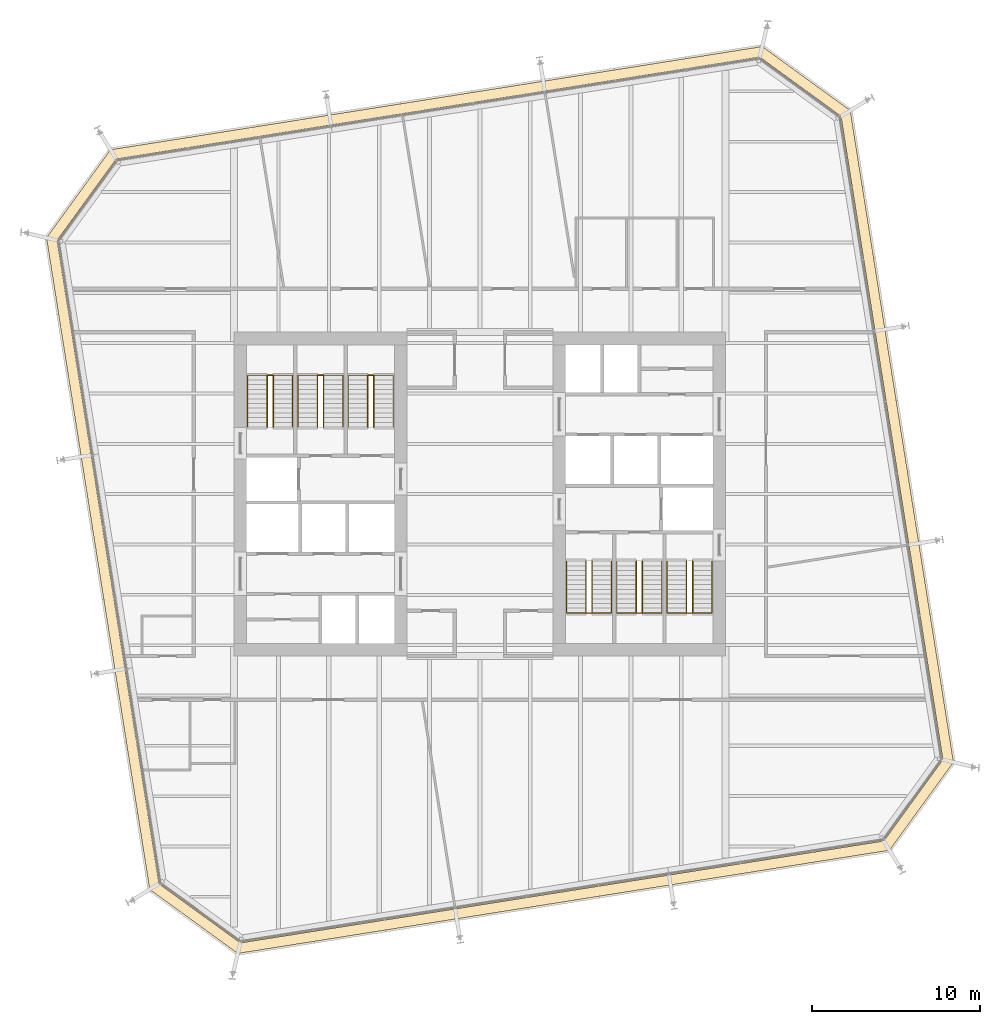
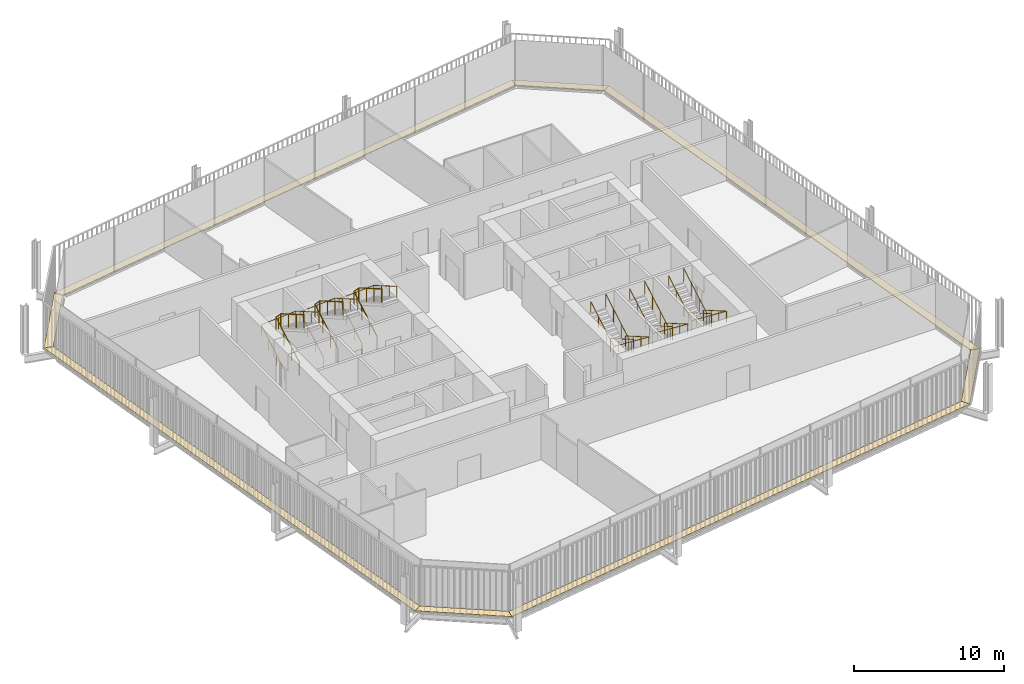
# One storey, part 21 of 21: 12 railings, 8 coverings.
"""IFC4 building model written with IfcOpenShell, lengths in metres."""

from ifc_helpers import new_model, si_unit, direction, frame, origin, origin_2d, place, context, subcontext, project, spatial, polyline, circle, outline, extrude, material, layer, layer_set, type_object, element, save


model = new_model("IFC4")

# Units and contexts
model_context = context("Model", 3, precision=1e-05, world=origin(), true_north=direction((0.0, 1.0)))
body_context = subcontext(model_context, "Body", "Model", "MODEL_VIEW")
ifc_project = project(units=[si_unit("LENGTHUNIT", "METRE"), si_unit("AREAUNIT", "SQUARE_METRE"), si_unit("VOLUMEUNIT", "CUBIC_METRE"), si_unit("PLANEANGLEUNIT", "RADIAN"), si_unit("MASSUNIT", "GRAM", prefix="KILO")], contexts=[model_context])

# Site, building, storey
site_placement = place(None, origin())
site = spatial("IfcSite", under=ifc_project, at=site_placement, CompositionType="ELEMENT")
building_placement = place(site_placement, origin())
building = spatial("IfcBuilding", under=site, at=building_placement, Name="Millrace Tower", CompositionType="ELEMENT")
storey_placement = place(building_placement, frame((0.0, 0.0, 156.800048828125)))
storey = spatial("IfcBuildingStorey", under=building, at=storey_placement, Name="L35", CompositionType="ELEMENT", Elevation=156.800048828125)

# Coverings
ifc_material_1 = material(Name="Steel ASTM A36", Category="steel")
ifc_layer = layer(ifc_material_1, 0.050048828125)
ifc_layer_set = layer_set([ifc_layer], Name="Steel ASTM A36")
covering_type = type_object("IfcCoveringType", Name="CAVITY CATWALK steel grating", PredefinedType="FLOORING", material=ifc_layer_set)
placement = place(storey_placement, frame((0.0, 0.0, 0.099853515625)))
element("IfcCovering", 1, at=placement, inside=storey, type_object=covering_type, Name="Cavity catwalk grating C-F01 L35 1", PredefinedType="FLOORING", context=body_context, shape_type="SweptSolid", body=[
    extrude(outline(polyline([(-19.67578125, -23.562255859375), (-14.425048828125, -27.376953125), (-14.2734375, -26.74560546875), (-19.1220703125, -23.222900390625), (-19.67578125, -23.562255859375)])), origin(), (0.0, 0.0, 1.0), 0.050048828125),
])
element("IfcCovering", 2, at=placement, inside=storey, type_object=covering_type, Name="Cavity catwalk grating C-F02 L35 1", PredefinedType="FLOORING", context=body_context, shape_type="SweptSolid", body=[
    extrude(outline(polyline([(-14.425048828125, -27.376953125), (24.412109375, -21.225830078125), (24.07275390625, -20.672119140625), (-14.2734375, -26.74560546875), (-14.425048828125, -27.376953125)])), origin(), (0.0, 0.0, 1.0), 0.050048828125),
])
element("IfcCovering", 3, at=placement, inside=storey, type_object=covering_type, Name="Cavity catwalk grating C-F03 L35 1", PredefinedType="FLOORING", context=body_context, shape_type="SweptSolid", body=[
    extrude(outline(polyline([(24.412109375, -21.225830078125), (28.22705078125, -15.97509765625), (27.595458984375, -15.823486328125), (24.07275390625, -20.672119140625), (24.412109375, -21.225830078125)])), origin(), (0.0, 0.0, 1.0), 0.050048828125),
])
element("IfcCovering", 4, at=placement, inside=storey, type_object=covering_type, Name="Cavity catwalk grating C-F04 L35 1", PredefinedType="FLOORING", context=body_context, shape_type="SweptSolid", body=[
    extrude(outline(polyline([(28.22705078125, -15.97509765625), (22.075927734375, 22.862060546875), (21.522216796875, 22.522705078125), (27.595458984375, -15.823486328125), (28.22705078125, -15.97509765625)])), origin(), (0.0, 0.0, 1.0), 0.050048828125),
])
element("IfcCovering", 5, at=placement, inside=storey, type_object=covering_type, Name="Cavity catwalk grating C-F05 L35 1", PredefinedType="FLOORING", context=body_context, shape_type="SweptSolid", body=[
    extrude(outline(polyline([(22.075927734375, 22.862060546875), (16.824951171875, 26.677001953125), (16.67333984375, 26.045654296875), (21.522216796875, 22.522705078125), (22.075927734375, 22.862060546875)])), origin(), (0.0, 0.0, 1.0), 0.050048828125),
])
element("IfcCovering", 6, at=placement, inside=storey, type_object=covering_type, Name="Cavity catwalk grating C-F06 L35 1", PredefinedType="FLOORING", context=body_context, shape_type="SweptSolid", body=[
    extrude(outline(polyline([(16.824951171875, 26.677001953125), (-22.01220703125, 20.52587890625), (-21.6728515625, 19.97216796875), (16.67333984375, 26.045654296875), (16.824951171875, 26.677001953125)])), origin(), (0.0, 0.0, 1.0), 0.050048828125),
])
element("IfcCovering", 7, at=placement, inside=storey, type_object=covering_type, Name="Cavity catwalk grating C-F07 L35 1", PredefinedType="FLOORING", context=body_context, shape_type="SweptSolid", body=[
    extrude(outline(polyline([(-22.01220703125, 20.52587890625), (-25.8271484375, 15.275146484375), (-25.195556640625, 15.12353515625), (-21.6728515625, 19.97216796875), (-22.01220703125, 20.52587890625)])), origin(), (0.0, 0.0, 1.0), 0.050048828125),
])
element("IfcCovering", 8, at=placement, inside=storey, type_object=covering_type, Name="Cavity catwalk grating C-F08 L35 1", PredefinedType="FLOORING", context=body_context, shape_type="SweptSolid", body=[
    extrude(outline(polyline([(-25.8271484375, 15.275146484375), (-19.67578125, -23.562255859375), (-19.1220703125, -23.222900390625), (-25.195556640625, 15.12353515625), (-25.8271484375, 15.275146484375)])), origin(), (0.0, 0.0, 1.0), 0.050048828125),
])

# Railings
ifc_material_2 = material(Name="Stainless steel ASTM A240 type 316", Category="steel")
railing_type_1 = type_object("IfcRailingType", Name="Stair guard 1100", PredefinedType="GUARDRAIL", material=ifc_material_2)
for number, where, name in (
    (9, (-12.679931640625, 4.0, 0.162353515625), "Stair guard 1 W L35"),
    (10, (-9.679931640625, 4.0, 0.162353515625), "Stair guard 2 W L35"),
    (11, (-6.679931640625, 4.0, 0.162353515625), "Stair guard 3 W L35"),
):
    element("IfcRailing", number, at=place(storey_placement, frame(where)), inside=storey, type_object=railing_type_1, Name=name, PredefinedType="GUARDRAIL", context=body_context, shape_type="SweptSolid", body=[
        extrude(circle(Radius=0.02392578125, at=origin_2d()), frame((0.0, 0.0, 1.076171875), z_axis=(0.0, 0.864890721111, 0.501960198159), x_axis=(-1.0, 0.0, 0.0)), (0.0, 0.0, 1.0), 3.561279296875),
        extrude(circle(Radius=0.02392578125, at=origin_2d()), frame((0.0, 3.080078125, 2.86376953125), z_axis=(0.911295775139, 0.0, 0.411752365158), x_axis=(0.0, 1.0, 0.0)), (0.0, 0.0, 1.0), 0.394775390625),
        extrude(circle(Radius=0.02392578125, at=origin_2d()), frame((0.35986328125, 3.080078125, 3.0263671875), z_axis=(0.0, -0.864920483161, 0.501908913857), x_axis=(1.0, 0.0, 0.0)), (0.0, 0.0, 1.0), 3.56103515625),
        extrude(circle(Radius=0.02099609375, at=origin_2d()), origin(), (0.0, 0.0, 1.0), 1.052001953125),
        extrude(circle(Radius=0.02099609375, at=origin_2d()), frame((0.0, 1.026611328125, 0.595947265625)), (0.0, 0.0, 1.0), 1.052001953125),
        extrude(circle(Radius=0.02099609375, at=origin_2d()), frame((0.0, 2.053466796875, 1.191650390625)), (0.0, 0.0, 1.0), 1.052001953125),
        extrude(circle(Radius=0.02099609375, at=origin_2d()), frame((0.0, 3.080078125, 1.78759765625)), (0.0, 0.0, 1.0), 1.052001953125),
        extrude(circle(Radius=0.02099609375, at=origin_2d()), frame((0.35986328125, 3.080078125, 1.9501953125)), (0.0, 0.0, 1.0), 1.052001953125),
        extrude(circle(Radius=0.02099609375, at=origin_2d()), frame((0.35986328125, 2.053466796875, 2.5458984375)), (0.0, 0.0, 1.0), 1.052001953125),
        extrude(circle(Radius=0.02099609375, at=origin_2d()), frame((0.35986328125, 1.026611328125, 3.141845703125)), (0.0, 0.0, 1.0), 1.052001953125),
        extrude(circle(Radius=0.02099609375, at=origin_2d()), frame((0.35986328125, 0.0, 3.737548828125)), (0.0, 0.0, 1.0), 1.052001953125),
    ])
for number, where, name in (
    (12, (12.679931640625, -4.0, 0.162353515625), "Stair guard 1 E L35"),
    (13, (9.679931640625, -4.0, 0.162353515625), "Stair guard 2 E L35"),
    (14, (6.679931640625, -4.0, 0.162353515625), "Stair guard 3 E L35"),
):
    element("IfcRailing", number, at=place(storey_placement, frame(where)), inside=storey, type_object=railing_type_1, Name=name, PredefinedType="GUARDRAIL", context=body_context, shape_type="SweptSolid", body=[
        extrude(circle(Radius=0.02392578125, at=origin_2d()), frame((0.0, 0.0, 1.076171875), z_axis=(0.0, -0.864890721111, 0.501960198159), x_axis=(1.0, 0.0, 0.0)), (0.0, 0.0, 1.0), 3.561279296875),
        extrude(circle(Radius=0.02392578125, at=origin_2d()), frame((0.0, -3.080078125, 2.86376953125), z_axis=(-0.911295775139, 0.0, 0.411752365158), x_axis=(0.0, -1.0, 0.0)), (0.0, 0.0, 1.0), 0.394775390625),
        extrude(circle(Radius=0.02392578125, at=origin_2d()), frame((-0.35986328125, -3.080078125, 3.0263671875), z_axis=(0.0, 0.864920483161, 0.501908913857), x_axis=(-1.0, 0.0, 0.0)), (0.0, 0.0, 1.0), 3.56103515625),
        extrude(circle(Radius=0.02099609375, at=origin_2d()), origin(), (0.0, 0.0, 1.0), 1.052001953125),
        extrude(circle(Radius=0.02099609375, at=origin_2d()), frame((0.0, -1.026611328125, 0.595947265625)), (0.0, 0.0, 1.0), 1.052001953125),
        extrude(circle(Radius=0.02099609375, at=origin_2d()), frame((0.0, -2.053466796875, 1.191650390625)), (0.0, 0.0, 1.0), 1.052001953125),
        extrude(circle(Radius=0.02099609375, at=origin_2d()), frame((0.0, -3.080078125, 1.78759765625)), (0.0, 0.0, 1.0), 1.052001953125),
        extrude(circle(Radius=0.02099609375, at=origin_2d()), frame((-0.35986328125, -3.080078125, 1.9501953125)), (0.0, 0.0, 1.0), 1.052001953125),
        extrude(circle(Radius=0.02099609375, at=origin_2d()), frame((-0.35986328125, -2.053466796875, 2.5458984375)), (0.0, 0.0, 1.0), 1.052001953125),
        extrude(circle(Radius=0.02099609375, at=origin_2d()), frame((-0.35986328125, -1.026611328125, 3.141845703125)), (0.0, 0.0, 1.0), 1.052001953125),
        extrude(circle(Radius=0.02099609375, at=origin_2d()), frame((-0.35986328125, 0.0, 3.737548828125)), (0.0, 0.0, 1.0), 1.052001953125),
    ])
ifc_material_3 = material(Name="Stainless steel ASTM A240 type 316", Category="steel")
railing_type_2 = type_object("IfcRailingType", Name="Stair handrail 900", PredefinedType="HANDRAIL", material=ifc_material_3)
railing_1_placement = place(storey_placement, frame((-13.840087890625, 4.0, 0.162353515625)))
element("IfcRailing", 15, at=railing_1_placement, inside=storey, type_object=railing_type_2, Name="Stair handrail 1 W L35", PredefinedType="HANDRAIL", context=body_context, shape_type="SweptSolid", body=[
    extrude(circle(Radius=0.02392578125, at=origin_2d()), frame((0.0, 0.0, 0.8759765625), z_axis=(0.0, 0.864890721111, 0.501960198159), x_axis=(-1.0, 0.0, 0.0)), (0.0, 0.0, 1.0), 3.561279296875),
    extrude(circle(Radius=0.02392578125, at=origin_2d()), frame((0.0, 3.080078125, 2.66357421875), z_axis=(0.998164834547, 0.0, 0.060555454528), x_axis=(0.0, 1.0, 0.0)), (0.0, 0.0, 1.0), 2.68505859375),
    extrude(circle(Radius=0.02392578125, at=origin_2d()), frame((2.68017578125, 3.080078125, 2.826171875), z_axis=(0.0, -0.864920483161, 0.501908913857), x_axis=(1.0, 0.0, 0.0)), (0.0, 0.0, 1.0), 3.56103515625),
    extrude(circle(Radius=0.02099609375, at=origin_2d()), origin(), (0.0, 0.0, 1.0), 0.851806640625),
    extrude(circle(Radius=0.02099609375, at=origin_2d()), frame((0.0, 1.026611328125, 0.595947265625)), (0.0, 0.0, 1.0), 0.851806640625),
    extrude(circle(Radius=0.02099609375, at=origin_2d()), frame((0.0, 2.053466796875, 1.191650390625)), (0.0, 0.0, 1.0), 0.851806640625),
    extrude(circle(Radius=0.02099609375, at=origin_2d()), frame((0.0, 3.080078125, 1.78759765625)), (0.0, 0.0, 1.0), 0.851806640625),
    extrude(circle(Radius=0.02099609375, at=origin_2d()), frame((1.340087890625, 3.080078125, 1.868896484375)), (0.0, 0.0, 1.0), 0.851806640625),
    extrude(circle(Radius=0.02099609375, at=origin_2d()), frame((2.68017578125, 3.080078125, 1.9501953125)), (0.0, 0.0, 1.0), 0.851806640625),
    extrude(circle(Radius=0.02099609375, at=origin_2d()), frame((2.68017578125, 2.053466796875, 2.5458984375)), (0.0, 0.0, 1.0), 0.851806640625),
    extrude(circle(Radius=0.02099609375, at=origin_2d()), frame((2.68017578125, 1.026611328125, 3.141845703125)), (0.0, 0.0, 1.0), 0.851806640625),
    extrude(circle(Radius=0.02099609375, at=origin_2d()), frame((2.68017578125, 0.0, 3.737548828125)), (0.0, 0.0, 1.0), 0.851806640625),
])
railing_2_placement = place(storey_placement, frame((-10.840087890625, 4.0, 0.162353515625)))
element("IfcRailing", 16, at=railing_2_placement, inside=storey, type_object=railing_type_2, Name="Stair handrail 2 W L35", PredefinedType="HANDRAIL", context=body_context, shape_type="SweptSolid", body=[
    extrude(circle(Radius=0.02392578125, at=origin_2d()), frame((0.0, 0.0, 0.8759765625), z_axis=(0.0, 0.864890721111, 0.501960198159), x_axis=(-1.0, 0.0, 0.0)), (0.0, 0.0, 1.0), 3.561279296875),
    extrude(circle(Radius=0.02392578125, at=origin_2d()), frame((0.0, 3.080078125, 2.66357421875), z_axis=(0.998164834547, 0.0, 0.060555454528), x_axis=(0.0, 1.0, 0.0)), (0.0, 0.0, 1.0), 2.68505859375),
    extrude(circle(Radius=0.02392578125, at=origin_2d()), frame((2.68017578125, 3.080078125, 2.826171875), z_axis=(0.0, -0.864920483161, 0.501908913857), x_axis=(1.0, 0.0, 0.0)), (0.0, 0.0, 1.0), 3.56103515625),
    extrude(circle(Radius=0.02099609375, at=origin_2d()), origin(), (0.0, 0.0, 1.0), 0.851806640625),
    extrude(circle(Radius=0.02099609375, at=origin_2d()), frame((0.0, 1.026611328125, 0.595947265625)), (0.0, 0.0, 1.0), 0.851806640625),
    extrude(circle(Radius=0.02099609375, at=origin_2d()), frame((0.0, 2.053466796875, 1.191650390625)), (0.0, 0.0, 1.0), 0.851806640625),
    extrude(circle(Radius=0.02099609375, at=origin_2d()), frame((0.0, 3.080078125, 1.78759765625)), (0.0, 0.0, 1.0), 0.851806640625),
    extrude(circle(Radius=0.02099609375, at=origin_2d()), frame((1.340087890625, 3.080078125, 1.868896484375)), (0.0, 0.0, 1.0), 0.851806640625),
    extrude(circle(Radius=0.02099609375, at=origin_2d()), frame((2.68017578125, 3.080078125, 1.9501953125)), (0.0, 0.0, 1.0), 0.851806640625),
    extrude(circle(Radius=0.02099609375, at=origin_2d()), frame((2.68017578125, 2.053466796875, 2.5458984375)), (0.0, 0.0, 1.0), 0.851806640625),
    extrude(circle(Radius=0.02099609375, at=origin_2d()), frame((2.68017578125, 1.026611328125, 3.141845703125)), (0.0, 0.0, 1.0), 0.851806640625),
    extrude(circle(Radius=0.02099609375, at=origin_2d()), frame((2.68017578125, 0.0, 3.737548828125)), (0.0, 0.0, 1.0), 0.851806640625),
])
railing_3_placement = place(storey_placement, frame((-7.840087890625, 4.0, 0.162353515625)))
element("IfcRailing", 17, at=railing_3_placement, inside=storey, type_object=railing_type_2, Name="Stair handrail 3 W L35", PredefinedType="HANDRAIL", context=body_context, shape_type="SweptSolid", body=[
    extrude(circle(Radius=0.02392578125, at=origin_2d()), frame((0.0, 0.0, 0.8759765625), z_axis=(0.0, 0.864890721111, 0.501960198159), x_axis=(-1.0, 0.0, 0.0)), (0.0, 0.0, 1.0), 3.561279296875),
    extrude(circle(Radius=0.02392578125, at=origin_2d()), frame((0.0, 3.080078125, 2.66357421875), z_axis=(0.998164834547, 0.0, 0.060555454528), x_axis=(0.0, 1.0, 0.0)), (0.0, 0.0, 1.0), 2.68505859375),
    extrude(circle(Radius=0.02392578125, at=origin_2d()), frame((2.68017578125, 3.080078125, 2.826171875), z_axis=(0.0, -0.864920483161, 0.501908913857), x_axis=(1.0, 0.0, 0.0)), (0.0, 0.0, 1.0), 3.56103515625),
    extrude(circle(Radius=0.02099609375, at=origin_2d()), origin(), (0.0, 0.0, 1.0), 0.851806640625),
    extrude(circle(Radius=0.02099609375, at=origin_2d()), frame((0.0, 1.026611328125, 0.595947265625)), (0.0, 0.0, 1.0), 0.851806640625),
    extrude(circle(Radius=0.02099609375, at=origin_2d()), frame((0.0, 2.053466796875, 1.191650390625)), (0.0, 0.0, 1.0), 0.851806640625),
    extrude(circle(Radius=0.02099609375, at=origin_2d()), frame((0.0, 3.080078125, 1.78759765625)), (0.0, 0.0, 1.0), 0.851806640625),
    extrude(circle(Radius=0.02099609375, at=origin_2d()), frame((1.340087890625, 3.080078125, 1.868896484375)), (0.0, 0.0, 1.0), 0.851806640625),
    extrude(circle(Radius=0.02099609375, at=origin_2d()), frame((2.68017578125, 3.080078125, 1.9501953125)), (0.0, 0.0, 1.0), 0.851806640625),
    extrude(circle(Radius=0.02099609375, at=origin_2d()), frame((2.68017578125, 2.053466796875, 2.5458984375)), (0.0, 0.0, 1.0), 0.851806640625),
    extrude(circle(Radius=0.02099609375, at=origin_2d()), frame((2.68017578125, 1.026611328125, 3.141845703125)), (0.0, 0.0, 1.0), 0.851806640625),
    extrude(circle(Radius=0.02099609375, at=origin_2d()), frame((2.68017578125, 0.0, 3.737548828125)), (0.0, 0.0, 1.0), 0.851806640625),
])
railing_4_placement = place(storey_placement, frame((13.840087890625, -4.0, 0.162353515625)))
element("IfcRailing", 18, at=railing_4_placement, inside=storey, type_object=railing_type_2, Name="Stair handrail 1 E L35", PredefinedType="HANDRAIL", context=body_context, shape_type="SweptSolid", body=[
    extrude(circle(Radius=0.02392578125, at=origin_2d()), frame((0.0, 0.0, 0.8759765625), z_axis=(0.0, -0.864890721111, 0.501960198159), x_axis=(1.0, 0.0, 0.0)), (0.0, 0.0, 1.0), 3.561279296875),
    extrude(circle(Radius=0.02392578125, at=origin_2d()), frame((0.0, -3.080078125, 2.66357421875), z_axis=(-0.998164834547, 0.0, 0.060555454528), x_axis=(0.0, -1.0, 0.0)), (0.0, 0.0, 1.0), 2.68505859375),
    extrude(circle(Radius=0.02392578125, at=origin_2d()), frame((-2.68017578125, -3.080078125, 2.826171875), z_axis=(0.0, 0.864920483161, 0.501908913857), x_axis=(-1.0, 0.0, 0.0)), (0.0, 0.0, 1.0), 3.56103515625),
    extrude(circle(Radius=0.02099609375, at=origin_2d()), origin(), (0.0, 0.0, 1.0), 0.851806640625),
    extrude(circle(Radius=0.02099609375, at=origin_2d()), frame((0.0, -1.026611328125, 0.595947265625)), (0.0, 0.0, 1.0), 0.851806640625),
    extrude(circle(Radius=0.02099609375, at=origin_2d()), frame((0.0, -2.053466796875, 1.191650390625)), (0.0, 0.0, 1.0), 0.851806640625),
    extrude(circle(Radius=0.02099609375, at=origin_2d()), frame((0.0, -3.080078125, 1.78759765625)), (0.0, 0.0, 1.0), 0.851806640625),
    extrude(circle(Radius=0.02099609375, at=origin_2d()), frame((-1.340087890625, -3.080078125, 1.868896484375)), (0.0, 0.0, 1.0), 0.851806640625),
    extrude(circle(Radius=0.02099609375, at=origin_2d()), frame((-2.68017578125, -3.080078125, 1.9501953125)), (0.0, 0.0, 1.0), 0.851806640625),
    extrude(circle(Radius=0.02099609375, at=origin_2d()), frame((-2.68017578125, -2.053466796875, 2.5458984375)), (0.0, 0.0, 1.0), 0.851806640625),
    extrude(circle(Radius=0.02099609375, at=origin_2d()), frame((-2.68017578125, -1.026611328125, 3.141845703125)), (0.0, 0.0, 1.0), 0.851806640625),
    extrude(circle(Radius=0.02099609375, at=origin_2d()), frame((-2.68017578125, 0.0, 3.737548828125)), (0.0, 0.0, 1.0), 0.851806640625),
])
railing_5_placement = place(storey_placement, frame((10.840087890625, -4.0, 0.162353515625)))
element("IfcRailing", 19, at=railing_5_placement, inside=storey, type_object=railing_type_2, Name="Stair handrail 2 E L35", PredefinedType="HANDRAIL", context=body_context, shape_type="SweptSolid", body=[
    extrude(circle(Radius=0.02392578125, at=origin_2d()), frame((0.0, 0.0, 0.8759765625), z_axis=(0.0, -0.864890721111, 0.501960198159), x_axis=(1.0, 0.0, 0.0)), (0.0, 0.0, 1.0), 3.561279296875),
    extrude(circle(Radius=0.02392578125, at=origin_2d()), frame((0.0, -3.080078125, 2.66357421875), z_axis=(-0.998164834547, 0.0, 0.060555454528), x_axis=(0.0, -1.0, 0.0)), (0.0, 0.0, 1.0), 2.68505859375),
    extrude(circle(Radius=0.02392578125, at=origin_2d()), frame((-2.68017578125, -3.080078125, 2.826171875), z_axis=(0.0, 0.864920483161, 0.501908913857), x_axis=(-1.0, 0.0, 0.0)), (0.0, 0.0, 1.0), 3.56103515625),
    extrude(circle(Radius=0.02099609375, at=origin_2d()), origin(), (0.0, 0.0, 1.0), 0.851806640625),
    extrude(circle(Radius=0.02099609375, at=origin_2d()), frame((0.0, -1.026611328125, 0.595947265625)), (0.0, 0.0, 1.0), 0.851806640625),
    extrude(circle(Radius=0.02099609375, at=origin_2d()), frame((0.0, -2.053466796875, 1.191650390625)), (0.0, 0.0, 1.0), 0.851806640625),
    extrude(circle(Radius=0.02099609375, at=origin_2d()), frame((0.0, -3.080078125, 1.78759765625)), (0.0, 0.0, 1.0), 0.851806640625),
    extrude(circle(Radius=0.02099609375, at=origin_2d()), frame((-1.340087890625, -3.080078125, 1.868896484375)), (0.0, 0.0, 1.0), 0.851806640625),
    extrude(circle(Radius=0.02099609375, at=origin_2d()), frame((-2.68017578125, -3.080078125, 1.9501953125)), (0.0, 0.0, 1.0), 0.851806640625),
    extrude(circle(Radius=0.02099609375, at=origin_2d()), frame((-2.68017578125, -2.053466796875, 2.5458984375)), (0.0, 0.0, 1.0), 0.851806640625),
    extrude(circle(Radius=0.02099609375, at=origin_2d()), frame((-2.68017578125, -1.026611328125, 3.141845703125)), (0.0, 0.0, 1.0), 0.851806640625),
    extrude(circle(Radius=0.02099609375, at=origin_2d()), frame((-2.68017578125, 0.0, 3.737548828125)), (0.0, 0.0, 1.0), 0.851806640625),
])
railing_6_placement = place(storey_placement, frame((7.840087890625, -4.0, 0.162353515625)))
element("IfcRailing", 20, at=railing_6_placement, inside=storey, type_object=railing_type_2, Name="Stair handrail 3 E L35", PredefinedType="HANDRAIL", context=body_context, shape_type="SweptSolid", body=[
    extrude(circle(Radius=0.02392578125, at=origin_2d()), frame((0.0, 0.0, 0.8759765625), z_axis=(0.0, -0.864890721111, 0.501960198159), x_axis=(1.0, 0.0, 0.0)), (0.0, 0.0, 1.0), 3.561279296875),
    extrude(circle(Radius=0.02392578125, at=origin_2d()), frame((0.0, -3.080078125, 2.66357421875), z_axis=(-0.998164834547, 0.0, 0.060555454528), x_axis=(0.0, -1.0, 0.0)), (0.0, 0.0, 1.0), 2.68505859375),
    extrude(circle(Radius=0.02392578125, at=origin_2d()), frame((-2.68017578125, -3.080078125, 2.826171875), z_axis=(0.0, 0.864920483161, 0.501908913857), x_axis=(-1.0, 0.0, 0.0)), (0.0, 0.0, 1.0), 3.56103515625),
    extrude(circle(Radius=0.02099609375, at=origin_2d()), origin(), (0.0, 0.0, 1.0), 0.851806640625),
    extrude(circle(Radius=0.02099609375, at=origin_2d()), frame((0.0, -1.026611328125, 0.595947265625)), (0.0, 0.0, 1.0), 0.851806640625),
    extrude(circle(Radius=0.02099609375, at=origin_2d()), frame((0.0, -2.053466796875, 1.191650390625)), (0.0, 0.0, 1.0), 0.851806640625),
    extrude(circle(Radius=0.02099609375, at=origin_2d()), frame((0.0, -3.080078125, 1.78759765625)), (0.0, 0.0, 1.0), 0.851806640625),
    extrude(circle(Radius=0.02099609375, at=origin_2d()), frame((-1.340087890625, -3.080078125, 1.868896484375)), (0.0, 0.0, 1.0), 0.851806640625),
    extrude(circle(Radius=0.02099609375, at=origin_2d()), frame((-2.68017578125, -3.080078125, 1.9501953125)), (0.0, 0.0, 1.0), 0.851806640625),
    extrude(circle(Radius=0.02099609375, at=origin_2d()), frame((-2.68017578125, -2.053466796875, 2.5458984375)), (0.0, 0.0, 1.0), 0.851806640625),
    extrude(circle(Radius=0.02099609375, at=origin_2d()), frame((-2.68017578125, -1.026611328125, 3.141845703125)), (0.0, 0.0, 1.0), 0.851806640625),
    extrude(circle(Radius=0.02099609375, at=origin_2d()), frame((-2.68017578125, 0.0, 3.737548828125)), (0.0, 0.0, 1.0), 0.851806640625),
])

save(model, "model.ifc")
